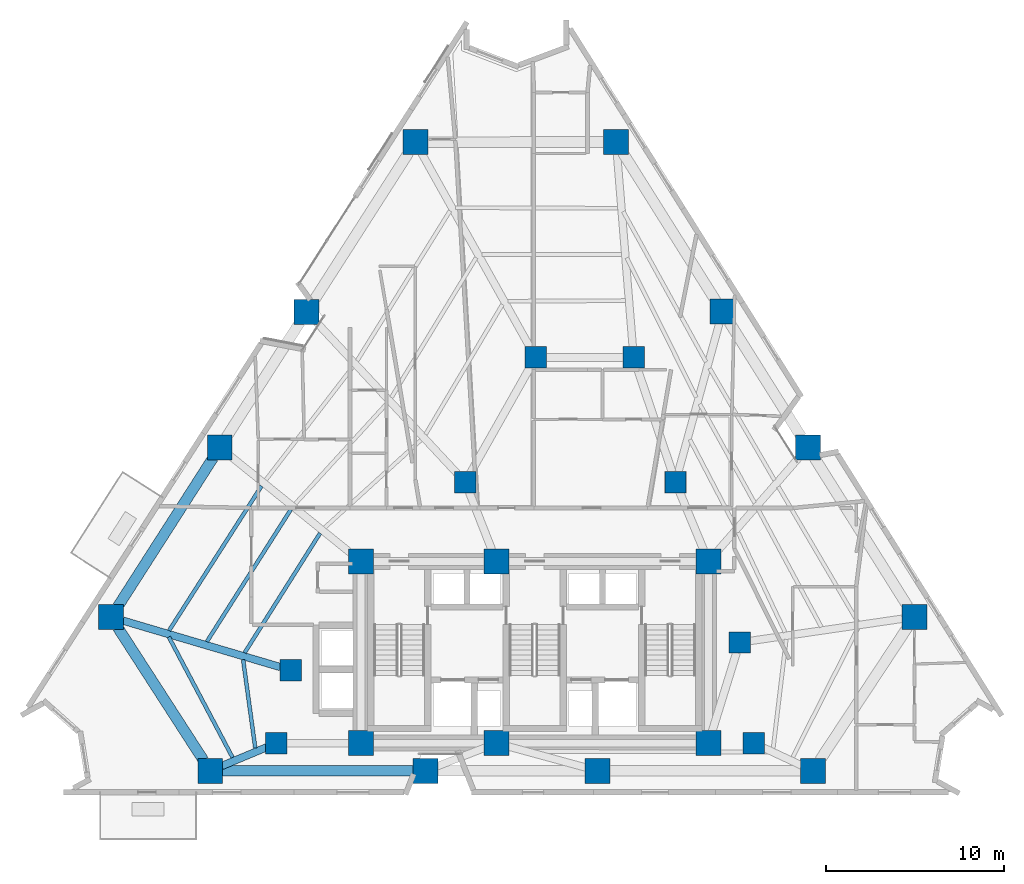
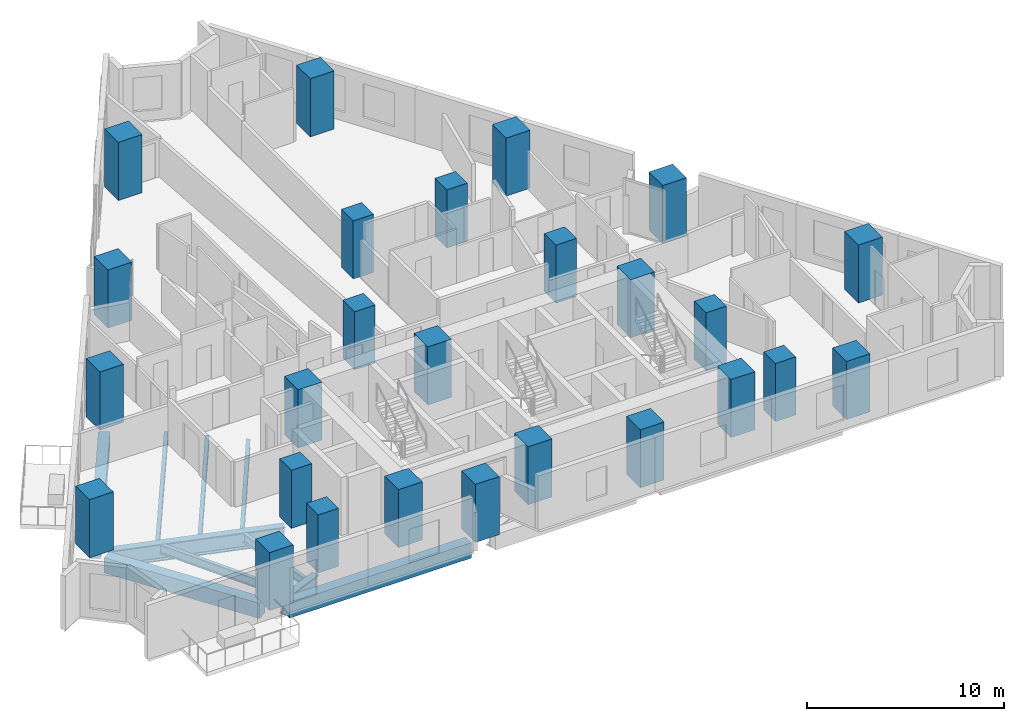
# One storey, part 1 of 14: 26 columns, 10 beams.
"""IFC4 building model written with IfcOpenShell, lengths in metres."""

from ifc_helpers import new_model, si_unit, direction, frame, origin, origin_2d, place, context, subcontext, project, spatial, rectangle, i_section, extrude, material, material_profile, profile_set, type_object, element, save


model = new_model("IFC4")

# Units and contexts
model_context = context("Model", 3, precision=1e-05, world=origin(), true_north=direction((0.0, 1.0)))
body_context = subcontext(model_context, "Body", "Model", "MODEL_VIEW")
ifc_project = project(units=[si_unit("LENGTHUNIT", "METRE"), si_unit("AREAUNIT", "SQUARE_METRE"), si_unit("VOLUMEUNIT", "CUBIC_METRE"), si_unit("PLANEANGLEUNIT", "RADIAN"), si_unit("MASSUNIT", "GRAM", prefix="KILO")], contexts=[model_context])

# Site, building, storey
site_placement = place(None, origin())
site = spatial("IfcSite", under=ifc_project, at=site_placement, CompositionType="ELEMENT")
building_placement = place(site_placement, origin())
building = spatial("IfcBuilding", under=site, at=building_placement, Name="Almagre Mirador Tower", CompositionType="ELEMENT")
storey_placement = place(building_placement, frame((0.0, 0.0, 67.800048828125)))
storey = spatial("IfcBuildingStorey", under=building, at=storey_placement, Name="L16", CompositionType="ELEMENT", Elevation=67.800048828125)

# Columns
ifc_material_1 = material(Name="Concrete C60/75", Category="concrete")
ifc_material_profile_1 = material_profile(ifc_material_1, rectangle(XDim=1.199951171875, YDim=1.199951171875, at=origin_2d()), Name="RC1200X1200")
ifc_profile_set_1 = profile_set([ifc_material_profile_1], Name="Concrete C60/75")
column_type_1 = type_object("IfcColumnType", Name="COL-RC1200", PredefinedType="COLUMN", material=ifc_profile_set_1)
for number, where, z_axis, x_axis, name in (
    (1, (22.800048828125, 4.550048828125, 0.0), (0.0, 0.0, 1.0), (1.0, 0.0, 0.0), "L16 interior transfer column MC1"),
    (2, (49.60009765625, 4.550048828125, 0.0), (0.0, 0.0, 1.0), (1.0, 0.0, 0.0), "L16 interior transfer column MC2"),
    (3, (48.800048828125, 10.199951171875, 0.0), (0.0, 0.0, 1.0), (1.0, 0.0, 0.0), "L16 interior transfer column MC3"),
    (4, (45.199951171875, 19.199951171875, 0.0), (0.0, 0.0, 1.0), (1.0, 0.0, 0.0), "L16 interior transfer column MC5"),
    (5, (42.85009765625, 26.199951171875, 0.0), (0.0, 0.0, 1.0), (1.0, 0.0, 0.0), "L16 interior transfer column MC6"),
    (6, (37.35009765625, 26.199951171875, 0.0), (0.0, 0.0, 1.0), (1.0, 0.0, 0.0), "L16 interior transfer column MC7"),
    (7, (33.39990234375, 19.199951171875, 0.0), (0.0, 0.0, 1.0), (1.0, 0.0, 0.0), "L16 interior transfer column MC8"),
    (8, (23.60009765625, 8.64990234375, 0.0), (0.0, 0.0, 1.0), (1.0, 0.0, 0.0), "L16 interior transfer column MC10"),
):
    element("IfcColumn", number, at=place(storey_placement, frame(where, z_axis=z_axis, x_axis=x_axis)), inside=storey, type_object=column_type_1, Name=name, PredefinedType="COLUMN", context=body_context, shape_type="SweptSolid", body=[
        extrude(rectangle(XDim=1.199951171875, YDim=1.199951171875, at=origin_2d()), origin(), (0.0, 0.0, 1.0), 3.599853515625),
    ])
ifc_material_2 = material(Name="Concrete C60/75", Category="concrete")
ifc_material_profile_2 = material_profile(ifc_material_2, rectangle(XDim=1.39990234375, YDim=1.39990234375, at=origin_2d()), Name="RC1400X1400")
ifc_profile_set_2 = profile_set([ifc_material_profile_2], Name="Concrete C60/75")
column_type_2 = type_object("IfcColumnType", Name="COL-RC1400", PredefinedType="COLUMN", material=ifc_profile_set_2)
for number, where, z_axis, x_axis, name in (
    (9, (27.550048828125, 4.550048828125, 0.0), (0.0, 0.0, 1.0), (1.0, 0.0, 0.0), "L16 core spine column CC1"),
    (10, (35.14990234375, 4.550048828125, 0.0), (0.0, 0.0, 1.0), (1.0, 0.0, 0.0), "L16 core spine column CC2"),
    (11, (47.050048828125, 4.550048828125, 0.0), (0.0, 0.0, 1.0), (1.0, 0.0, 0.0), "L16 core spine column CC3"),
    (12, (27.550048828125, 14.75, 0.0), (0.0, 0.0, 1.0), (1.0, 0.0, 0.0), "L16 core spine column CC4"),
    (13, (35.14990234375, 14.75, 0.0), (0.0, 0.0, 1.0), (1.0, 0.0, 0.0), "L16 core spine column CC5"),
    (14, (47.050048828125, 14.75, 0.0), (0.0, 0.0, 1.0), (1.0, 0.0, 0.0), "L16 core spine column CC6"),
    (15, (19.087890625, 3.0, 0.0), (0.0, 0.0, 1.0), (1.0, 0.0, 0.0), "L16 perimeter column PC01"),
    (16, (31.16796875, 3.0, 0.0), (0.0, 0.0, 1.0), (1.0, 0.0, 0.0), "L16 perimeter column PC02"),
    (17, (40.83203125, 3.0, 0.0), (0.0, 0.0, 1.0), (1.0, 0.0, 0.0), "L16 perimeter column PC03"),
    (18, (52.912109375, 3.0, 0.0), (0.0, 0.0, 1.0), (1.0, 0.0, 0.0), "L16 perimeter column PC04"),
    (19, (58.60595703125, 11.634033203125, 0.0), (0.0, 0.0, 1.0), (1.0, 0.0, 0.0), "L16 perimeter column PC05"),
    (20, (52.6259765625, 21.154052734375, 0.0), (0.0, 0.0, 1.0), (1.0, 0.0, 0.0), "L16 perimeter column PC06"),
    (21, (47.842041015625, 28.77001953125, 0.0), (0.0, 0.0, 1.0), (1.0, 0.0, 0.0), "L16 perimeter column PC07"),
    (22, (41.862060546875, 38.2900390625, 0.0), (0.0, 0.0, 1.0), (1.0, 0.0, 0.0), "L16 perimeter column PC08"),
    (23, (30.60009765625, 38.281005859375, 0.0), (0.0, 0.0, 1.0), (1.0, 0.0, 0.0), "L16 perimeter column PC09"),
    (24, (24.5, 28.760986328125, 0.0), (0.0, 0.0, 1.0), (1.0, 0.0, 0.0), "L16 perimeter column PC10"),
    (25, (19.6201171875, 21.14501953125, 0.0), (0.0, 0.0, 1.0), (1.0, 0.0, 0.0), "L16 perimeter column PC11"),
    (26, (13.52001953125, 11.625, 0.0), (0.0, 0.0, 1.0), (1.0, 0.0, 0.0), "L16 perimeter column PC12"),
):
    element("IfcColumn", number, at=place(storey_placement, frame(where, z_axis=z_axis, x_axis=x_axis)), inside=storey, type_object=column_type_2, Name=name, PredefinedType="COLUMN", context=body_context, shape_type="SweptSolid", body=[
        extrude(rectangle(XDim=1.39990234375, YDim=1.39990234375, at=origin_2d()), origin(), (0.0, 0.0, 1.0), 3.599853515625),
    ])

# Beams
ifc_material_3 = material(Name="Steel ASTM A992 Grade 50", Category="steel")
ifc_material_profile_3 = material_profile(ifc_material_3, i_section(OverallWidth=0.214111328125, OverallDepth=0.549072265625, WebThickness=0.0146484375, FlangeThickness=0.023681640625, FilletRadius=0.01806640625, at=origin_2d()), Name="W21X93")
ifc_profile_set_3 = profile_set([ifc_material_profile_3], Name="Steel ASTM A992 Grade 50")
beam_type_1 = type_object("IfcBeamType", Name="BM-JST-W21X93", PredefinedType="JOIST", material=ifc_profile_set_3)
beam_1_placement = place(storey_placement, frame((21.96728515625, 18.984619140625, -0.524658203125), z_axis=(-0.538939298543, -0.842344604355, 0.0), x_axis=(0.842344604355, -0.538939298543, 0.0)))
element("IfcBeam", 27, at=beam_1_placement, inside=storey, type_object=beam_type_1, Name="L16 secondary floor joist PC11-PC12.1", PredefinedType="JOIST", context=body_context, shape_type="SweptSolid", body=[
    extrude(i_section(OverallWidth=0.214111328125, OverallDepth=0.549072265625, WebThickness=0.0146484375, FlangeThickness=0.023681640625, FilletRadius=0.01806640625, at=origin_2d()), origin(), (0.0, 0.0, 1.0), 9.62939453125),
])
beam_2_placement = place(storey_placement, frame((23.609375, 17.660400390625, -0.524658203125), z_axis=(-0.536506743166, -0.843896033015, 0.0), x_axis=(0.843896033015, -0.536506743166, 0.0)))
element("IfcBeam", 28, at=beam_2_placement, inside=storey, type_object=beam_type_1, Name="L16 secondary floor joist PC11-PC12.2", PredefinedType="JOIST", context=body_context, shape_type="SweptSolid", body=[
    extrude(i_section(OverallWidth=0.214111328125, OverallDepth=0.549072265625, WebThickness=0.0146484375, FlangeThickness=0.023681640625, FilletRadius=0.01806640625, at=origin_2d()), origin(), (0.0, 0.0, 1.0), 8.783447265625),
])
beam_3_placement = place(storey_placement, frame((25.251708984375, 16.336181640625, -0.524658203125), z_axis=(-0.533571707058, -0.845754830567, 0.0), x_axis=(0.845754830567, -0.533571707058, 0.0)))
element("IfcBeam", 29, at=beam_3_placement, inside=storey, type_object=beam_type_1, Name="L16 secondary floor joist PC11-PC12.3", PredefinedType="JOIST", context=body_context, shape_type="SweptSolid", body=[
    extrude(i_section(OverallWidth=0.214111328125, OverallDepth=0.549072265625, WebThickness=0.0146484375, FlangeThickness=0.023681640625, FilletRadius=0.01806640625, at=origin_2d()), origin(), (0.0, 0.0, 1.0), 7.937744140625),
])
beam_4_placement = place(storey_placement, frame((16.7626953125, 10.51171875, -0.524658203125), z_axis=(0.467494738831, -0.88399585359, 0.0), x_axis=(0.88399585359, 0.467494738831, 0.0)))
element("IfcBeam", 30, at=beam_4_placement, inside=storey, type_object=beam_type_1, Name="L16 secondary floor joist PC12-PC01.1", PredefinedType="JOIST", context=body_context, shape_type="SweptSolid", body=[
    extrude(i_section(OverallWidth=0.214111328125, OverallDepth=0.549072265625, WebThickness=0.0146484375, FlangeThickness=0.023681640625, FilletRadius=0.01806640625, at=origin_2d()), origin(), (0.0, 0.0, 1.0), 7.650634765625),
])
beam_5_placement = place(storey_placement, frame((20.93310546875, 9.238037109375, -0.524658203125), z_axis=(0.136056923339, -0.990701021303, 0.0), x_axis=(0.990701021303, 0.136056923339, 0.0)))
element("IfcBeam", 31, at=beam_5_placement, inside=storey, type_object=beam_type_1, Name="L16 secondary floor joist PC12-PC01.3", PredefinedType="JOIST", context=body_context, shape_type="SweptSolid", body=[
    extrude(i_section(OverallWidth=0.214111328125, OverallDepth=0.549072265625, WebThickness=0.0146484375, FlangeThickness=0.023681640625, FilletRadius=0.01806640625, at=origin_2d()), origin(), (0.0, 0.0, 1.0), 5.010009765625),
])
ifc_material_4 = material(Name="Precast concrete C50/60", Category="concrete")
ifc_material_profile_4 = material_profile(ifc_material_4, rectangle(XDim=0.60009765625, YDim=0.949951171875, at=origin_2d()), Name="RC600X950")
ifc_profile_set_4 = profile_set([ifc_material_profile_4], Name="Precast concrete C50/60")
beam_type_2 = type_object("IfcBeamType", Name="BM-SPN-RC600X950", PredefinedType="SPANDREL", material=ifc_profile_set_4)
beam_6_placement = place(storey_placement, frame((19.7880859375, 3.0, -0.72509765625), z_axis=(1.0, 0.0, 0.0), x_axis=(0.0, 1.0, 0.0)))
element("IfcBeam", 32, at=beam_6_placement, inside=storey, type_object=beam_type_2, Name="L16 perimeter spandrel beam PC01-PC02", PredefinedType="SPANDREL", context=body_context, shape_type="SweptSolid", body=[
    extrude(rectangle(XDim=0.60009765625, YDim=0.949951171875, at=origin_2d()), origin(), (0.0, 0.0, 1.0), 10.679931640625),
])
beam_7_placement = place(storey_placement, frame((19.2421875, 20.5556640625, -0.72509765625), z_axis=(-0.539486507438, -0.84199424481, 0.0), x_axis=(0.84199424481, -0.539486507438, 0.0)))
element("IfcBeam", 33, at=beam_7_placement, inside=storey, type_object=beam_type_2, Name="L16 perimeter spandrel beam PC11-PC12", PredefinedType="SPANDREL", context=body_context, shape_type="SweptSolid", body=[
    extrude(rectangle(XDim=0.60009765625, YDim=0.949951171875, at=origin_2d()), origin(), (0.0, 0.0, 1.0), 9.906494140625),
])
beam_8_placement = place(storey_placement, frame((13.899658203125, 11.036865234375, -0.72509765625), z_axis=(0.542362680712, -0.840144465298, 0.0), x_axis=(0.840144465298, 0.542362680712, 0.0)))
element("IfcBeam", 34, at=beam_8_placement, inside=storey, type_object=beam_type_2, Name="L16 perimeter spandrel beam PC12-PC01", PredefinedType="SPANDREL", context=body_context, shape_type="SweptSolid", body=[
    extrude(rectangle(XDim=0.60009765625, YDim=0.949951171875, at=origin_2d()), origin(), (0.0, 0.0, 1.0), 8.865966796875),
])
ifc_material_5 = material(Name="Steel ASTM A913 Grade 65", Category="steel")
ifc_material_profile_5 = material_profile(ifc_material_5, i_section(OverallWidth=0.4189453125, OverallDepth=1.041015625, WebThickness=0.031005859375, FlangeThickness=0.055908203125, FilletRadius=0.030029296875, at=origin_2d()), Name="W40X397")
ifc_profile_set_5 = profile_set([ifc_material_profile_5], Name="Steel ASTM A913 Grade 65")
beam_type_3 = type_object("IfcBeamType", Name="BM-STL-W40X397", PredefinedType="BEAM", material=ifc_profile_set_5)
beam_9_placement = place(storey_placement, frame((19.73388671875, 3.269775390625, -0.7705078125), z_axis=(0.922787491729, 0.385309285002, 0.0), x_axis=(-0.385309285002, 0.922787491729, 0.0)))
element("IfcBeam", 35, at=beam_9_placement, inside=storey, type_object=beam_type_3, Name="L16 radial floor girder PC01-MC1", PredefinedType="BEAM", context=body_context, shape_type="SweptSolid", body=[
    extrude(i_section(OverallWidth=0.4189453125, OverallDepth=1.041015625, WebThickness=0.031005859375, FlangeThickness=0.055908203125, FilletRadius=0.030029296875, at=origin_2d()), origin(), (0.0, 0.0, 1.0), 2.72265625),
])
beam_10_placement = place(storey_placement, frame((14.19140625, 11.427001953125, -0.7705078125), z_axis=(0.95909363652, -0.28308902555, 0.0), x_axis=(0.28308902555, 0.95909363652, 0.0)))
element("IfcBeam", 36, at=beam_10_placement, inside=storey, type_object=beam_type_3, Name="L16 radial floor girder PC12-MC10", PredefinedType="BEAM", context=body_context, shape_type="SweptSolid", body=[
    extrude(i_section(OverallWidth=0.4189453125, OverallDepth=1.041015625, WebThickness=0.031005859375, FlangeThickness=0.055908203125, FilletRadius=0.030029296875, at=origin_2d()), origin(), (0.0, 0.0, 1.0), 9.209716796875),
])

save(model, "model.ifc")
